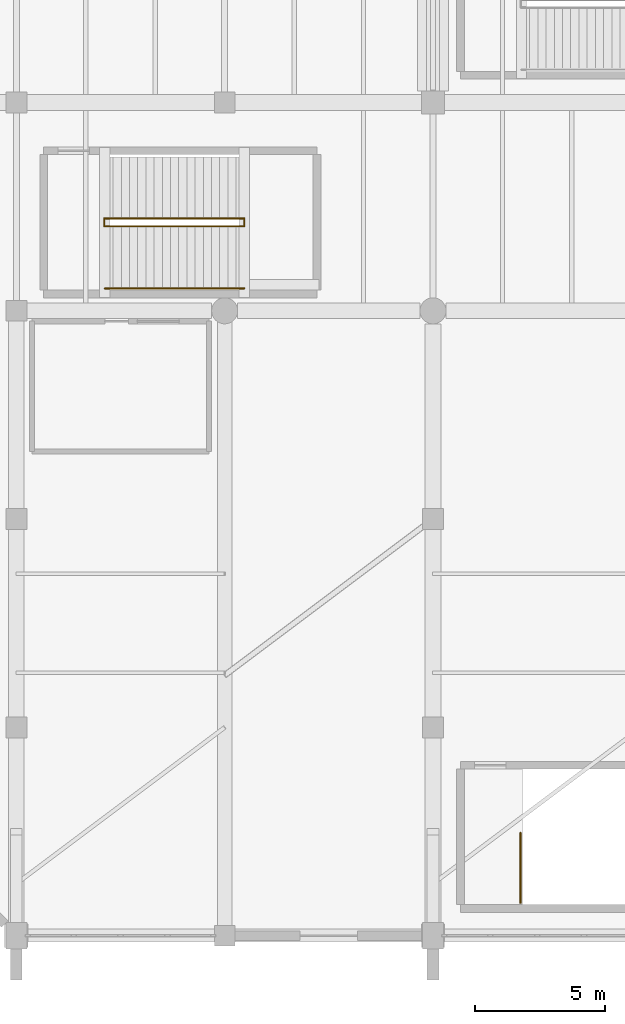
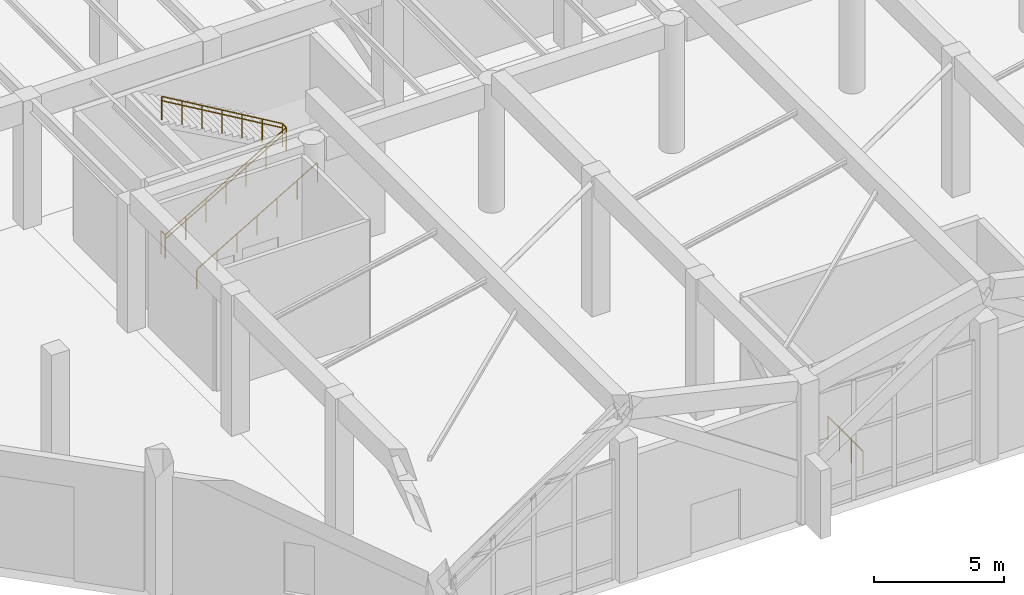
# One storey, part 43 of 51: 7 railings.
"""IFC4 building model written with IfcOpenShell, lengths in metres."""

from ifc_helpers import new_model, si_unit, direction, frame, origin, origin_2d, place, context, subcontext, project, spatial, circle, extrude, material, type_object, element, save


model = new_model("IFC4")

# Units and contexts
model_context = context("Model", 3, precision=1e-05, world=origin(), true_north=direction((0.0, 1.0)))
body_context = subcontext(model_context, "Body", "Model", "MODEL_VIEW")
ifc_project = project(units=[si_unit("LENGTHUNIT", "METRE"), si_unit("AREAUNIT", "SQUARE_METRE"), si_unit("VOLUMEUNIT", "CUBIC_METRE"), si_unit("PLANEANGLEUNIT", "RADIAN"), si_unit("MASSUNIT", "GRAM", prefix="KILO")], contexts=[model_context])

# Site, building, storey
site_placement = place(None, origin())
site = spatial("IfcSite", under=ifc_project, at=site_placement, CompositionType="ELEMENT")
building_placement = place(site_placement, origin())
building = spatial("IfcBuilding", under=site, at=building_placement, Name="Varnela Railside Interchange", CompositionType="ELEMENT")
storey_placement = place(building_placement, origin())
storey = spatial("IfcBuildingStorey", under=building, at=storey_placement, Name="L00", CompositionType="ELEMENT", Elevation=0.0)

# Railings
ifc_material = material(Name="Steel AR 350 (350 MPa)", Category="steel")
railing_type_1 = type_object("IfcRailingType", Name="Stair & Ramp Pitch Handrail HR-01", PredefinedType="HANDRAIL", material=ifc_material)
railing_1_placement = place(storey_placement, frame((39.39990234375, 33.25, 0.0)))
element("IfcRailing", 1, at=railing_1_placement, inside=storey, type_object=railing_type_1, Name="Stair Handrail ST-M1 Flight 1 (RL-0230)", PredefinedType="HANDRAIL", context=body_context, shape_type="SweptSolid", body=[
    extrude(circle(Radius=0.02392578125, at=origin_2d()), frame((0.0, 0.0, 0.89599609375), z_axis=(0.861940276329, 0.0, 0.507009822431), x_axis=(0.0, 1.0, 0.0)), (0.0, 0.0, 1.0), 6.212646484375),
    extrude(circle(Radius=0.02099609375, at=origin_2d()), origin(), (0.0, 0.0, 1.0), 0.871826171875),
    extrude(circle(Radius=0.02099609375, at=origin_2d()), frame((0.892578125, 0.0, 0.52490234375)), (0.0, 0.0, 1.0), 0.871826171875),
    extrude(circle(Radius=0.02099609375, at=origin_2d()), frame((1.784912109375, 0.0, 1.050048828125)), (0.0, 0.0, 1.0), 0.871826171875),
    extrude(circle(Radius=0.02099609375, at=origin_2d()), frame((2.677490234375, 0.0, 1.574951171875)), (0.0, 0.0, 1.0), 0.871826171875),
    extrude(circle(Radius=0.02099609375, at=origin_2d()), frame((3.570068359375, 0.0, 2.099853515625)), (0.0, 0.0, 1.0), 0.871826171875),
    extrude(circle(Radius=0.02099609375, at=origin_2d()), frame((4.46240234375, 0.0, 2.625)), (0.0, 0.0, 1.0), 0.871826171875),
    extrude(circle(Radius=0.02099609375, at=origin_2d()), frame((5.35498046875, 0.0, 3.14990234375)), (0.0, 0.0, 1.0), 0.871826171875),
])
railing_2_placement = place(storey_placement, frame((44.7548828125, 33.550048828125, 3.14990234375)))
element("IfcRailing", 2, at=railing_2_placement, inside=storey, type_object=railing_type_1, Name="Stair Handrail ST-M1 Flight 2 (RL-0231)", PredefinedType="HANDRAIL", context=body_context, shape_type="SweptSolid", body=[
    extrude(circle(Radius=0.02392578125, at=origin_2d()), frame((0.0, 0.0, 0.89599609375), z_axis=(-0.861923102912, 0.0, 0.507039016908), x_axis=(0.0, -1.0, 0.0)), (0.0, 0.0, 1.0), 6.212890625),
    extrude(circle(Radius=0.02099609375, at=origin_2d()), origin(), (0.0, 0.0, 1.0), 0.871826171875),
    extrude(circle(Radius=0.02099609375, at=origin_2d()), frame((-0.892578125, 0.0, 0.52490234375)), (0.0, 0.0, 1.0), 0.871826171875),
    extrude(circle(Radius=0.02099609375, at=origin_2d()), frame((-1.784912109375, 0.0, 1.050048828125)), (0.0, 0.0, 1.0), 0.871826171875),
    extrude(circle(Radius=0.02099609375, at=origin_2d()), frame((-2.677490234375, 0.0, 1.5751953125)), (0.0, 0.0, 1.0), 0.871826171875),
    extrude(circle(Radius=0.02099609375, at=origin_2d()), frame((-3.570068359375, 0.0, 2.10009765625)), (0.0, 0.0, 1.0), 0.871826171875),
    extrude(circle(Radius=0.02099609375, at=origin_2d()), frame((-4.46240234375, 0.0, 2.625)), (0.0, 0.0, 1.0), 0.871826171875),
    extrude(circle(Radius=0.02099609375, at=origin_2d()), frame((-5.35498046875, 0.0, 3.150146484375)), (0.0, 0.0, 1.0), 0.871826171875),
])
railing_type_2 = type_object("IfcRailingType", Name="Stair Well & Landing Guard GR-02", PredefinedType="GUARDRAIL", material=ifc_material)
railing_3_placement = place(storey_placement, frame((39.3701171875, 33.25, 0.0)))
element("IfcRailing", 3, at=railing_3_placement, inside=storey, type_object=railing_type_2, Name="Stair Well Slot Guard ST-M1 on L00 (RL-0196)", PredefinedType="GUARDRAIL", context=body_context, shape_type="SweptSolid", body=[
    extrude(circle(Radius=0.02392578125, at=origin_2d()), frame((0.0, 0.0, 1.09619140625), z_axis=(0.0, 1.0, 0.0), x_axis=(-1.0, 0.0, 0.0)), (0.0, 0.0, 1.0), 0.300048828125),
    extrude(circle(Radius=0.02099609375, at=origin_2d()), origin(), (0.0, 0.0, 1.0), 1.072021484375),
    extrude(circle(Radius=0.02099609375, at=origin_2d()), frame((0.0, 0.300048828125, 0.0)), (0.0, 0.0, 1.0), 1.072021484375),
])
railing_4_placement = place(storey_placement, frame((39.39990234375, 33.25, 0.0)))
element("IfcRailing", 4, at=railing_4_placement, inside=storey, type_object=railing_type_2, Name="Stair Guard ST-M1 Half-Landing (RL-0194)", PredefinedType="GUARDRAIL", context=body_context, shape_type="SweptSolid", body=[
    extrude(circle(Radius=0.02392578125, at=origin_2d()), frame((0.0, 0.0, 1.09619140625), z_axis=(0.861940276329, 0.0, 0.507009822431), x_axis=(0.0, 1.0, 0.0)), (0.0, 0.0, 1.0), 6.212646484375),
    extrude(circle(Radius=0.02392578125, at=origin_2d()), frame((5.35498046875, 0.0, 4.24609375), z_axis=(0.0, 1.0, 0.0), x_axis=(-1.0, 0.0, 0.0)), (0.0, 0.0, 1.0), 0.300048828125),
    extrude(circle(Radius=0.02099609375, at=origin_2d()), origin(), (0.0, 0.0, 1.0), 1.072021484375),
    extrude(circle(Radius=0.02099609375, at=origin_2d()), frame((0.892578125, 0.0, 0.52490234375)), (0.0, 0.0, 1.0), 1.072021484375),
    extrude(circle(Radius=0.02099609375, at=origin_2d()), frame((1.784912109375, 0.0, 1.050048828125)), (0.0, 0.0, 1.0), 1.072021484375),
    extrude(circle(Radius=0.02099609375, at=origin_2d()), frame((2.677490234375, 0.0, 1.574951171875)), (0.0, 0.0, 1.0), 1.072021484375),
    extrude(circle(Radius=0.02099609375, at=origin_2d()), frame((3.570068359375, 0.0, 2.099853515625)), (0.0, 0.0, 1.0), 1.072021484375),
    extrude(circle(Radius=0.02099609375, at=origin_2d()), frame((4.46240234375, 0.0, 2.625)), (0.0, 0.0, 1.0), 1.072021484375),
    extrude(circle(Radius=0.02099609375, at=origin_2d()), frame((5.35498046875, 0.0, 3.14990234375)), (0.0, 0.0, 1.0), 1.072021484375),
    extrude(circle(Radius=0.02099609375, at=origin_2d()), frame((5.35498046875, 0.300048828125, 3.14990234375)), (0.0, 0.0, 1.0), 1.072021484375),
])
railing_5_placement = place(storey_placement, frame((44.7548828125, 33.550048828125, 3.14990234375)))
element("IfcRailing", 5, at=railing_5_placement, inside=storey, type_object=railing_type_2, Name="Stair Guard ST-M1 Upper Flight (RL-0195)", PredefinedType="GUARDRAIL", context=body_context, shape_type="SweptSolid", body=[
    extrude(circle(Radius=0.02392578125, at=origin_2d()), frame((0.0, 0.0, 1.09619140625), z_axis=(-0.861923102912, 0.0, 0.507039016908), x_axis=(0.0, -1.0, 0.0)), (0.0, 0.0, 1.0), 6.212890625),
    extrude(circle(Radius=0.02099609375, at=origin_2d()), origin(), (0.0, 0.0, 1.0), 1.072021484375),
    extrude(circle(Radius=0.02099609375, at=origin_2d()), frame((-0.892578125, 0.0, 0.52490234375)), (0.0, 0.0, 1.0), 1.072021484375),
    extrude(circle(Radius=0.02099609375, at=origin_2d()), frame((-1.784912109375, 0.0, 1.050048828125)), (0.0, 0.0, 1.0), 1.072021484375),
    extrude(circle(Radius=0.02099609375, at=origin_2d()), frame((-2.677490234375, 0.0, 1.5751953125)), (0.0, 0.0, 1.0), 1.072021484375),
    extrude(circle(Radius=0.02099609375, at=origin_2d()), frame((-3.570068359375, 0.0, 2.10009765625)), (0.0, 0.0, 1.0), 1.072021484375),
    extrude(circle(Radius=0.02099609375, at=origin_2d()), frame((-4.46240234375, 0.0, 2.625)), (0.0, 0.0, 1.0), 1.072021484375),
    extrude(circle(Radius=0.02099609375, at=origin_2d()), frame((-5.35498046875, 0.0, 3.150146484375)), (0.0, 0.0, 1.0), 1.072021484375),
])
railing_6_placement = place(storey_placement, frame((55.360107421875, 7.260009765625, 0.0)))
element("IfcRailing", 6, at=railing_6_placement, inside=storey, type_object=railing_type_2, Name="Stair Well Arrival Guard ST-M3 on L00 (RL-0200)", PredefinedType="GUARDRAIL", context=body_context, shape_type="SweptSolid", body=[
    extrude(circle(Radius=0.02392578125, at=origin_2d()), frame((0.0, 0.0, 1.09619140625), z_axis=(0.0, 1.0, 0.0), x_axis=(-1.0, 0.0, 0.0)), (0.0, 0.0, 1.0), 2.68994140625),
    extrude(circle(Radius=0.02099609375, at=origin_2d()), origin(), (0.0, 0.0, 1.0), 1.072021484375),
    extrude(circle(Radius=0.02099609375, at=origin_2d()), frame((0.0, 0.896728515625, 0.0)), (0.0, 0.0, 1.0), 1.072021484375),
    extrude(circle(Radius=0.02099609375, at=origin_2d()), frame((0.0, 1.793212890625, 0.0)), (0.0, 0.0, 1.0), 1.072021484375),
    extrude(circle(Radius=0.02099609375, at=origin_2d()), frame((0.0, 2.68994140625, 0.0)), (0.0, 0.0, 1.0), 1.072021484375),
])
railing_type_3 = type_object("IfcRailingType", Name="Wall-Mounted Stair Handrail HR-02", PredefinedType="HANDRAIL", material=ifc_material)
railing_7_placement = place(storey_placement, frame((39.39990234375, 30.860107421875, 0.0)))
element("IfcRailing", 7, at=railing_7_placement, inside=storey, type_object=railing_type_3, Name="Wall Handrail ST-M1 Flight 1 (RL-0253)", PredefinedType="HANDRAIL", context=body_context, shape_type="SweptSolid", body=[
    extrude(circle(Radius=0.02392578125, at=origin_2d()), frame((0.0, 0.0, 0.89599609375), z_axis=(0.861940276329, 0.0, 0.507009822431), x_axis=(0.0, 1.0, 0.0)), (0.0, 0.0, 1.0), 6.212646484375),
    extrude(circle(Radius=0.02099609375, at=origin_2d()), origin(), (0.0, 0.0, 1.0), 0.871826171875),
    extrude(circle(Radius=0.02099609375, at=origin_2d()), frame((0.892578125, 0.0, 0.52490234375)), (0.0, 0.0, 1.0), 0.871826171875),
    extrude(circle(Radius=0.02099609375, at=origin_2d()), frame((1.784912109375, 0.0, 1.050048828125)), (0.0, 0.0, 1.0), 0.871826171875),
    extrude(circle(Radius=0.02099609375, at=origin_2d()), frame((2.677490234375, 0.0, 1.574951171875)), (0.0, 0.0, 1.0), 0.871826171875),
    extrude(circle(Radius=0.02099609375, at=origin_2d()), frame((3.570068359375, 0.0, 2.099853515625)), (0.0, 0.0, 1.0), 0.871826171875),
    extrude(circle(Radius=0.02099609375, at=origin_2d()), frame((4.46240234375, 0.0, 2.625)), (0.0, 0.0, 1.0), 0.871826171875),
    extrude(circle(Radius=0.02099609375, at=origin_2d()), frame((5.35498046875, 0.0, 3.14990234375)), (0.0, 0.0, 1.0), 0.871826171875),
])

save(model, "model.ifc")
